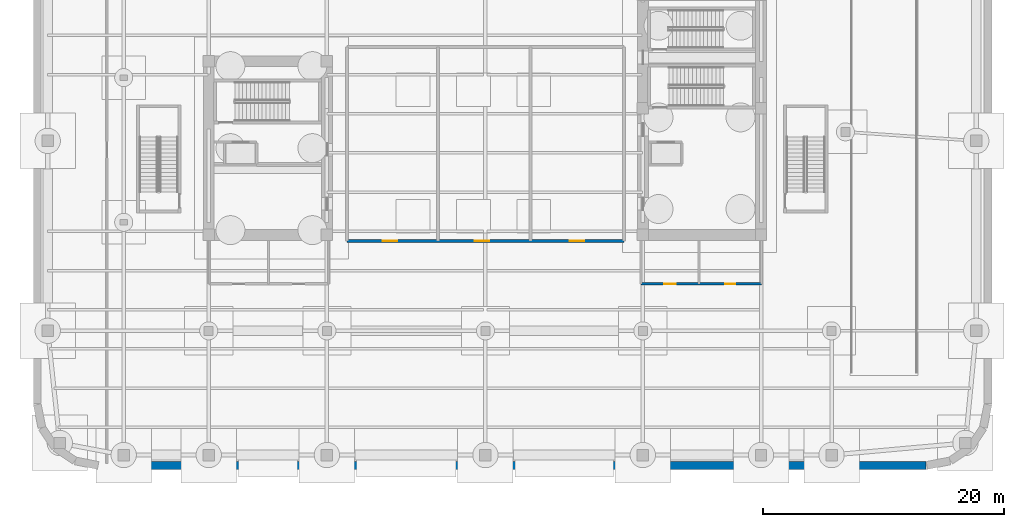
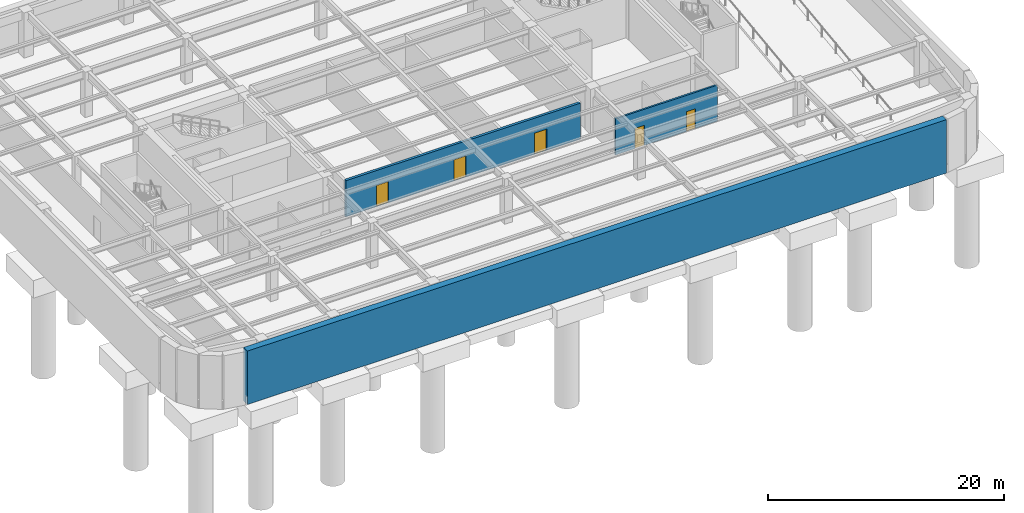
# One storey, part 6 of 14: 5 doors, 3 walls, 5 openings.
"""IFC4 building model written with IfcOpenShell, lengths in metres."""

from ifc_helpers import new_model, si_unit, direction, frame, frame_2d, origin, place, context, subcontext, project, spatial, rectangle, extrude, material, layer, layer_set, type_object, element, fill, save


model = new_model("IFC4")

# Units and contexts
model_context = context("Model", 3, precision=1e-05, world=origin(), true_north=direction((0.0, 1.0)))
body_context = subcontext(model_context, "Body", "Model", "MODEL_VIEW")
ifc_project = project(units=[si_unit("LENGTHUNIT", "METRE"), si_unit("AREAUNIT", "SQUARE_METRE"), si_unit("VOLUMEUNIT", "CUBIC_METRE"), si_unit("PLANEANGLEUNIT", "RADIAN"), si_unit("MASSUNIT", "GRAM", prefix="KILO")], contexts=[model_context])

# Site, building, storey
site_placement = place(None, origin())
site = spatial("IfcSite", under=ifc_project, at=site_placement, CompositionType="ELEMENT")
building_placement = place(site_placement, origin())
building = spatial("IfcBuilding", under=site, at=building_placement, Name="Kolvaren Arena Tower", CompositionType="ELEMENT")
storey_placement = place(building_placement, frame((0.0, 0.0, -10.0)))
storey = spatial("IfcBuildingStorey", under=building, at=storey_placement, Name="B02", CompositionType="ELEMENT", Elevation=-10.0)

# Wall
ifc_material_1 = material(Name="Concrete 50 MPa", Category="concrete")
ifc_layer_1 = layer(ifc_material_1, 0.64990234375)
ifc_layer_set_1 = layer_set([ifc_layer_1], Name="Concrete 50 MPa")
wall_type_1 = type_object("IfcWallType", Name="RWALL-650", PredefinedType="USERDEFINED", material=ifc_layer_set_1)
wall_1_placement = place(storey_placement, frame((74.014892578125, 0.324951171875, -0.85009765625), z_axis=(0.0, 0.0, 1.0), x_axis=(-1.0, 0.0, 0.0)))
element("IfcWall", 1, at=wall_1_placement, inside=storey, type_object=wall_type_1, Name="Basement Perimeter Retaining Wall (B02)", ObjectType="RETAININGWALL", PredefinedType="USERDEFINED", context=body_context, shape_type="SweptSolid", body=[
    extrude(rectangle(XDim=68.52978515625, YDim=0.64990234375, at=frame_2d((34.264892578125, 0.0))), origin(), (0.0, 0.0, 1.0), 5.5400390625),
])

# Wall, openings, doors
ifc_material_2 = material(Name="Concrete 45 MPa", Category="concrete")
ifc_layer_2 = layer(ifc_material_2, 0.25)
ifc_layer_set_2 = layer_set([ifc_layer_2], Name="Concrete 45 MPa")
wall_type_2 = type_object("IfcWallType", Name="SHAFT-250", PredefinedType="SOLIDWALL", material=ifc_layer_set_2)
wall_2_placement = place(storey_placement, frame((50.39990234375, 15.39990234375, 0.0), z_axis=(0.0, 0.0, 1.0), x_axis=(1.0, 0.0, 0.0)))
wall_2 = element("IfcWall", 2, at=wall_2_placement, inside=storey, type_object=wall_type_2, Name="Interior Partition Wall (B02)", PredefinedType="SOLIDWALL", context=body_context, shape_type="SweptSolid", body=[
    extrude(rectangle(XDim=10.0, YDim=0.179931640625, at=frame_2d((5.0, 0.0))), origin(), (0.0, 0.0, 1.0), 3.75),
])
opening_1_placement = place(wall_2_placement, frame((1.93994140625, 0.0, 0.0)))
opening_1 = element("IfcOpeningElement", 3, at=opening_1_placement, cuts=wall_2, Name="Opening D07", PredefinedType="OPENING", context=body_context, shape_type="SweptSolid", body=[
    extrude(rectangle(XDim=0.919921875, YDim=2.10009765625, at=frame_2d((0.4599609375, 1.050048828125))), frame((0.0, 0.099853515625, 0.0), z_axis=(0.0, -1.0, 0.0), x_axis=(1.0, 0.0, 0.0)), (0.0, 0.0, 1.0), 0.199951171875),
])
opening_2_placement = place(wall_2_placement, frame((6.969970703125, 0.0, 0.0)))
opening_2 = element("IfcOpeningElement", 4, at=opening_2_placement, cuts=wall_2, Name="Opening D09", PredefinedType="OPENING", context=body_context, shape_type="SweptSolid", body=[
    extrude(rectangle(XDim=0.860107421875, YDim=2.050048828125, at=frame_2d((0.43017578125, 1.02490234375))), frame((0.0, 0.099853515625, 0.0), z_axis=(0.0, -1.0, 0.0), x_axis=(1.0, 0.0, 0.0)), (0.0, 0.0, 1.0), 0.199951171875),
])
ifc_material_3 = material(Name="Fire-rated steel riser access door", Category="steel")
door_type_1 = type_object("IfcDoorType", Name="DOOR-RS-086", OperationType="NOTDEFINED", PredefinedType="DOOR", material=ifc_material_3)
door_1_placement = place(opening_2_placement, origin())
door_1 = element("IfcDoor", 5, at=door_1_placement, inside=storey, type_object=door_type_1, Name="Electrical Riser Closet Door (B02)", OperationType="SINGLE_SWING_LEFT", OverallHeight=2.050048828125, OverallWidth=0.860107421875, PredefinedType="DOOR", context=body_context, shape_type="SweptSolid", body=[
    extrude(rectangle(XDim=0.860107421875, YDim=2.050048828125, at=frame_2d((0.43017578125, 1.02490234375))), frame((0.0, 0.02490234375, 0.0), z_axis=(0.0, -1.0, 0.0), x_axis=(1.0, 0.0, 0.0)), (0.0, 0.0, 1.0), 0.050048828125),
])
fill(opening_2, door_1)
ifc_material_4 = material(Name="Laminate universal washroom door", Category="wood")
door_type_2 = type_object("IfcDoorType", Name="DOOR-WC-092", OperationType="NOTDEFINED", PredefinedType="DOOR", material=ifc_material_4)
door_2_placement = place(opening_1_placement, origin())
door_2 = element("IfcDoor", 6, at=door_2_placement, inside=storey, type_object=door_type_2, Name="Cleaner and Janitor Store Door (B02)", OperationType="SINGLE_SWING_RIGHT", OverallHeight=2.10009765625, OverallWidth=0.919921875, PredefinedType="DOOR", context=body_context, shape_type="SweptSolid", body=[
    extrude(rectangle(XDim=0.919921875, YDim=2.10009765625, at=frame_2d((0.4599609375, 1.050048828125))), frame((0.0, 0.02490234375, 0.0), z_axis=(0.0, -1.0, 0.0), x_axis=(1.0, 0.0, 0.0)), (0.0, 0.0, 1.0), 0.050048828125),
])
fill(opening_1, door_2)

wall_3_placement = place(storey_placement, frame((26.0, 18.949951171875, 0.0), z_axis=(0.0, 0.0, 1.0), x_axis=(1.0, 0.0, 0.0)))
wall_3 = element("IfcWall", 7, at=wall_3_placement, inside=storey, type_object=wall_type_2, Name="Interior Partition Wall (B02)", PredefinedType="SOLIDWALL", context=body_context, shape_type="SweptSolid", body=[
    extrude(rectangle(XDim=23.0, YDim=0.25, at=frame_2d((11.5, 0.0))), origin(), (0.0, 0.0, 1.0), 3.75),
])
opening_3_placement = place(wall_3_placement, frame((3.0, 0.0, 0.0)))
opening_3 = element("IfcOpeningElement", 8, at=opening_3_placement, cuts=wall_3, Name="Opening D08", PredefinedType="OPENING", context=body_context, shape_type="SweptSolid", body=[
    extrude(rectangle(XDim=1.199951171875, YDim=2.199951171875, at=frame_2d((0.60009765625, 1.10009765625))), frame((0.0, 0.135009765625, 0.0), z_axis=(0.0, -1.0, 0.0), x_axis=(1.0, 0.0, 0.0)), (0.0, 0.0, 1.0), 0.27001953125),
])
opening_4_placement = place(wall_3_placement, frame((10.60009765625, 0.0, 0.0)))
opening_4 = element("IfcOpeningElement", 9, at=opening_4_placement, cuts=wall_3, Name="Opening D08", PredefinedType="OPENING", context=body_context, shape_type="SweptSolid", body=[
    extrude(rectangle(XDim=1.199951171875, YDim=2.199951171875, at=frame_2d((0.60009765625, 1.10009765625))), frame((0.0, 0.135009765625, 0.0), z_axis=(0.0, -1.0, 0.0), x_axis=(1.0, 0.0, 0.0)), (0.0, 0.0, 1.0), 0.27001953125),
])
opening_5_placement = place(wall_3_placement, frame((18.5, 0.0, 0.0)))
opening_5 = element("IfcOpeningElement", 10, at=opening_5_placement, cuts=wall_3, Name="Opening D08", PredefinedType="OPENING", context=body_context, shape_type="SweptSolid", body=[
    extrude(rectangle(XDim=1.199951171875, YDim=2.199951171875, at=frame_2d((0.60009765625, 1.10009765625))), frame((0.0, 0.135009765625, 0.0), z_axis=(0.0, -1.0, 0.0), x_axis=(1.0, 0.0, 0.0)), (0.0, 0.0, 1.0), 0.27001953125),
])
ifc_material_5 = material(Name="Fire-rated steel plant room door", Category="steel")
door_type_3 = type_object("IfcDoorType", Name="DOOR-PL-120", OperationType="NOTDEFINED", PredefinedType="DOOR", material=ifc_material_5)
door_3_placement = place(opening_3_placement, origin())
door_3 = element("IfcDoor", 11, at=door_3_placement, inside=storey, type_object=door_type_3, Name="Chiller Plant Fire Door (B02)", OperationType="SINGLE_SWING_LEFT", OverallHeight=2.199951171875, OverallWidth=1.199951171875, PredefinedType="DOOR", context=body_context, shape_type="SweptSolid", body=[
    extrude(rectangle(XDim=1.199951171875, YDim=2.199951171875, at=frame_2d((0.60009765625, 1.10009765625))), frame((0.0, 0.02490234375, 0.0), z_axis=(0.0, -1.0, 0.0), x_axis=(1.0, 0.0, 0.0)), (0.0, 0.0, 1.0), 0.050048828125),
])
fill(opening_3, door_3)
door_4_placement = place(opening_4_placement, origin())
door_4 = element("IfcDoor", 12, at=door_4_placement, inside=storey, type_object=door_type_3, Name="Boiler Plant Fire Door (B02)", OperationType="SINGLE_SWING_RIGHT", OverallHeight=2.199951171875, OverallWidth=1.199951171875, PredefinedType="DOOR", context=body_context, shape_type="SweptSolid", body=[
    extrude(rectangle(XDim=1.199951171875, YDim=2.199951171875, at=frame_2d((0.60009765625, 1.10009765625))), frame((0.0, 0.02490234375, 0.0), z_axis=(0.0, -1.0, 0.0), x_axis=(1.0, 0.0, 0.0)), (0.0, 0.0, 1.0), 0.050048828125),
])
fill(opening_4, door_4)
door_5_placement = place(opening_5_placement, origin())
door_5 = element("IfcDoor", 13, at=door_5_placement, inside=storey, type_object=door_type_3, Name="Fire Pump Room Door (B02)", OperationType="SINGLE_SWING_LEFT", OverallHeight=2.199951171875, OverallWidth=1.199951171875, PredefinedType="DOOR", context=body_context, shape_type="SweptSolid", body=[
    extrude(rectangle(XDim=1.199951171875, YDim=2.199951171875, at=frame_2d((0.60009765625, 1.10009765625))), frame((0.0, 0.02490234375, 0.0), z_axis=(0.0, -1.0, 0.0), x_axis=(1.0, 0.0, 0.0)), (0.0, 0.0, 1.0), 0.050048828125),
])
fill(opening_5, door_5)

save(model, "model.ifc")
